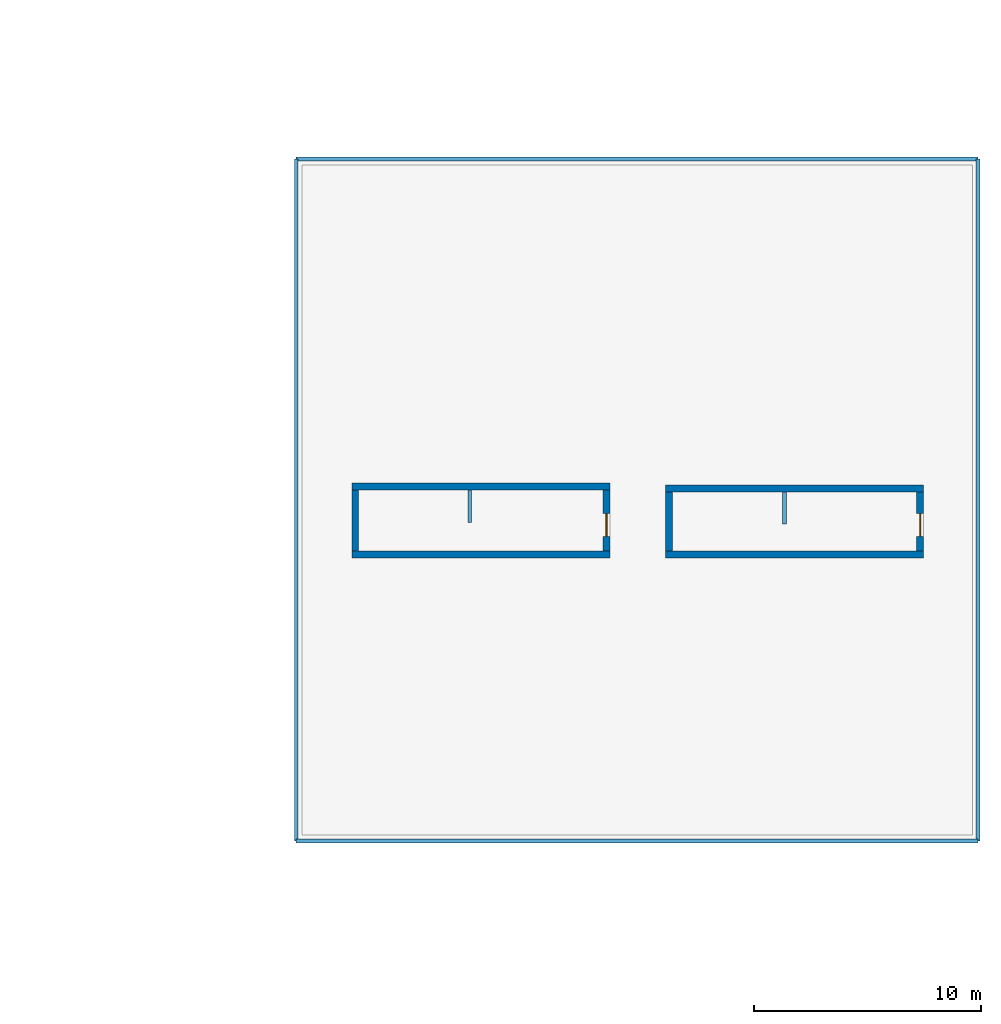
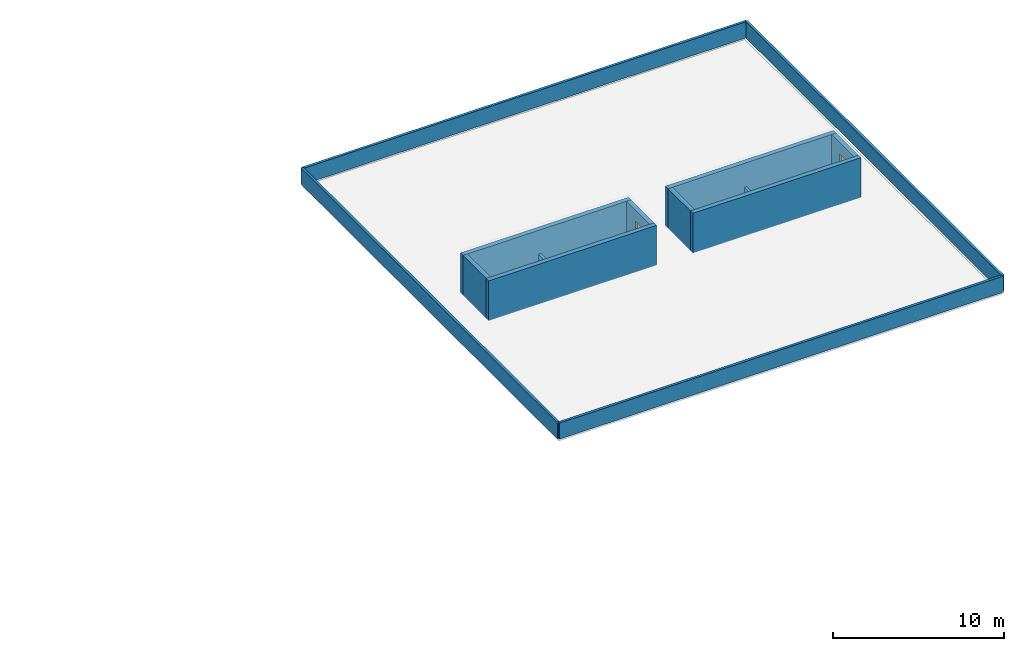
# One storey, part 18 of 23: 14 walls, 2 doors, 2 openings.
"""IFC4 building model written with IfcOpenShell, lengths in metres."""

from ifc_helpers import new_model, si_unit, direction, frame, frame_2d, origin, place, context, subcontext, project, spatial, rectangle, extrude, material, layer, layer_set, type_object, element, fill, save


model = new_model("IFC4")

# Units and contexts
model_context = context("Model", 3, precision=1e-05, world=origin(), true_north=direction((0.0, 1.0)))
body_context = subcontext(model_context, "Body", "Model", "MODEL_VIEW")
ifc_project = project(units=[si_unit("LENGTHUNIT", "METRE"), si_unit("AREAUNIT", "SQUARE_METRE"), si_unit("VOLUMEUNIT", "CUBIC_METRE"), si_unit("PLANEANGLEUNIT", "RADIAN"), si_unit("MASSUNIT", "GRAM", prefix="KILO"), si_unit("POWERUNIT", "WATT"), si_unit("THERMODYNAMICTEMPERATUREUNIT", "KELVIN")], contexts=[model_context])

# Site, building, storey
site_placement = place(None, origin())
site = spatial("IfcSite", under=ifc_project, at=site_placement, CompositionType="ELEMENT")
building_placement = place(site_placement, origin())
building = spatial("IfcBuilding", under=site, at=building_placement, Name="Ruvembo Vaulted Housing Court", CompositionType="ELEMENT")
storey_placement = place(building_placement, frame((0.0, 0.0, 26.89990234375)))
storey = spatial("IfcBuildingStorey", under=building, at=storey_placement, Name="L08", CompositionType="ELEMENT", Elevation=26.89990234375)

# Walls
ifc_material_1 = material(Name="Concrete C35/45", Category="concrete")
ifc_layer_1 = layer(ifc_material_1, 0.300048828125, Name="Concrete C35/45")
ifc_layer_set_1 = layer_set([ifc_layer_1], Name="Concrete C35/45")
wall_type_1 = type_object("IfcWallType", Name="WL-CORE-300", PredefinedType="SHEAR", material=ifc_layer_set_1)
for number, where, z_axis, x_axis, name in (
    (1, (158.449951171875, 84.60009765625, 0.0), (0.0, 0.0, 1.0), (1.0, 0.0, 0.0), "Core D1 L08 Headhouse South Wall"),
    (2, (169.800048828125, 87.60009765625, 0.0), (0.0, 0.0, 1.0), (-1.0, 0.0, 0.0), "Core D1 L08 Headhouse North Wall"),
):
    element("IfcWall", number, at=place(storey_placement, frame(where, z_axis=z_axis, x_axis=x_axis)), inside=storey, type_object=wall_type_1, Name=name, PredefinedType="SHEAR", context=body_context, shape_type="SweptSolid", body=[
        extrude(rectangle(XDim=11.35009765625, YDim=0.300048828125, at=frame_2d((5.675048828125, 0.0))), origin(), (0.0, 0.0, 1.0), 2.85009765625),
    ])
wall_1_placement = place(storey_placement, frame((158.60009765625, 87.449951171875, 0.0), z_axis=(0.0, 0.0, 1.0), x_axis=(0.0, -1.0, 0.0)))
element("IfcWall", 3, at=wall_1_placement, inside=storey, type_object=wall_type_1, Name="Core D1 L08 Headhouse West Wall", PredefinedType="SHEAR", context=body_context, shape_type="SweptSolid", body=[
    extrude(rectangle(XDim=2.699951171875, YDim=0.300048828125, at=frame_2d((1.35009765625, 0.0))), origin(), (0.0, 0.0, 1.0), 2.85009765625),
])

# Wall, opening, door
wall_2_placement = place(storey_placement, frame((169.64990234375, 84.75, 0.0), z_axis=(0.0, 0.0, 1.0), x_axis=(0.0, 1.0, 0.0)))
wall_2 = element("IfcWall", 4, at=wall_2_placement, inside=storey, type_object=wall_type_1, Name="Core D1 L08 Headhouse East Wall", PredefinedType="SHEAR", context=body_context, shape_type="SweptSolid", body=[
    extrude(rectangle(XDim=2.699951171875, YDim=0.300048828125, at=frame_2d((1.35009765625, 0.0))), origin(), (0.0, 0.0, 1.0), 2.85009765625),
])
opening_1_placement = place(wall_2_placement, frame((0.64990234375, 0.0, 0.0)))
opening_1 = element("IfcOpeningElement", 5, at=opening_1_placement, cuts=wall_2, Name="Opening HD1", PredefinedType="OPENING", context=body_context, shape_type="SweptSolid", body=[
    extrude(rectangle(XDim=1.0, YDim=2.050048828125, at=frame_2d((0.5, 1.02490234375))), frame((0.0, 0.159912109375, 0.0), z_axis=(0.0, -1.0, 0.0), x_axis=(1.0, 0.0, 0.0)), (0.0, 0.0, 1.0), 0.320068359375),
])
ifc_material_2 = material(Name="Thermally Broken Glazed Aluminium", Category="aluminium")
door_type = type_object("IfcDoorType", Name="DR-HEADHOUSE-1000x2050", OperationType="NOTDEFINED", PredefinedType="TRAPDOOR", material=ifc_material_2)
door_1_placement = place(opening_1_placement, frame((1.0, 0.0, 0.0), z_axis=(0.0, 0.0, 1.0), x_axis=(-1.0, 0.0, 0.0)))
door_1 = element("IfcDoor", 6, at=door_1_placement, inside=storey, type_object=door_type, Name="Core D1 L08 Stair Headhouse Roof Door", OperationType="SINGLE_SWING_RIGHT", OverallHeight=2.050048828125, OverallWidth=1.0, PredefinedType="TRAPDOOR", context=body_context, shape_type="SweptSolid", body=[
    extrude(rectangle(XDim=1.0, YDim=2.050048828125, at=frame_2d((0.5, 1.02490234375))), frame((0.0, 0.02490234375, 0.0), z_axis=(0.0, -1.0, 0.0), x_axis=(1.0, 0.0, 0.0)), (0.0, 0.0, 1.0), 0.050048828125),
])
fill(opening_1, door_1)

# Walls
for number, where, z_axis, x_axis, name in (
    (7, (172.25, 84.60009765625, 0.0), (0.0, 0.0, 1.0), (1.0, 0.0, 0.0), "Core D2 L08 Headhouse South Wall"),
    (8, (183.60009765625, 87.5, 0.0), (0.0, 0.0, 1.0), (-1.0, 0.0, 0.0), "Core D2 L08 Headhouse North Wall"),
):
    element("IfcWall", number, at=place(storey_placement, frame(where, z_axis=z_axis, x_axis=x_axis)), inside=storey, type_object=wall_type_1, Name=name, PredefinedType="SHEAR", context=body_context, shape_type="SweptSolid", body=[
        extrude(rectangle(XDim=11.35009765625, YDim=0.300048828125, at=frame_2d((5.675048828125, 0.0))), origin(), (0.0, 0.0, 1.0), 2.85009765625),
    ])
wall_3_placement = place(storey_placement, frame((172.39990234375, 87.35009765625, 0.0), z_axis=(0.0, 0.0, 1.0), x_axis=(0.0, -1.0, 0.0)))
element("IfcWall", 9, at=wall_3_placement, inside=storey, type_object=wall_type_1, Name="Core D2 L08 Headhouse West Wall", PredefinedType="SHEAR", context=body_context, shape_type="SweptSolid", body=[
    extrude(rectangle(XDim=2.60009765625, YDim=0.300048828125, at=frame_2d((1.300048828125, 0.0))), origin(), (0.0, 0.0, 1.0), 2.85009765625),
])

# Wall, opening, door
wall_4_placement = place(storey_placement, frame((183.449951171875, 84.75, 0.0), z_axis=(0.0, 0.0, 1.0), x_axis=(0.0, 1.0, 0.0)))
wall_4 = element("IfcWall", 10, at=wall_4_placement, inside=storey, type_object=wall_type_1, Name="Core D2 L08 Headhouse East Wall", PredefinedType="SHEAR", context=body_context, shape_type="SweptSolid", body=[
    extrude(rectangle(XDim=2.60009765625, YDim=0.300048828125, at=frame_2d((1.300048828125, 0.0))), origin(), (0.0, 0.0, 1.0), 2.85009765625),
])
opening_2_placement = place(wall_4_placement, frame((0.64990234375, 0.0, 0.0)))
opening_2 = element("IfcOpeningElement", 11, at=opening_2_placement, cuts=wall_4, Name="Opening HD1", PredefinedType="OPENING", context=body_context, shape_type="SweptSolid", body=[
    extrude(rectangle(XDim=1.0, YDim=2.050048828125, at=frame_2d((0.5, 1.02490234375))), frame((0.0, 0.159912109375, 0.0), z_axis=(0.0, -1.0, 0.0), x_axis=(1.0, 0.0, 0.0)), (0.0, 0.0, 1.0), 0.320068359375),
])
door_2_placement = place(opening_2_placement, frame((1.0, 0.0, 0.0), z_axis=(0.0, 0.0, 1.0), x_axis=(-1.0, 0.0, 0.0)))
door_2 = element("IfcDoor", 12, at=door_2_placement, inside=storey, type_object=door_type, Name="Core D2 L08 Stair Headhouse Roof Door", OperationType="SINGLE_SWING_RIGHT", OverallHeight=2.050048828125, OverallWidth=1.0, PredefinedType="TRAPDOOR", context=body_context, shape_type="SweptSolid", body=[
    extrude(rectangle(XDim=1.0, YDim=2.050048828125, at=frame_2d((0.5, 1.02490234375))), frame((0.0, 0.02490234375, 0.0), z_axis=(0.0, -1.0, 0.0), x_axis=(1.0, 0.0, 0.0)), (0.0, 0.0, 1.0), 0.050048828125),
])
fill(opening_2, door_2)

# Walls
ifc_material_3 = material(Name="Concrete C30/37", Category="concrete")
ifc_layer_2 = layer(ifc_material_3, 0.169921875, Name="Concrete C30/37")
ifc_layer_set_2 = layer_set([ifc_layer_2], Name="Concrete C30/37")
wall_type_2 = type_object("IfcWallType", Name="WL-PARAPET-170", PredefinedType="PARAPET", material=ifc_layer_set_2)
for number, where, z_axis, x_axis, name in (
    (13, (156.0, 72.0, 0.0), (0.0, 0.0, 1.0), (1.0, 0.0, 0.0), "Block D L08 Roof Parapet 1"),
    (14, (186.0, 72.0, 0.0), (0.0, 0.0, 1.0), (0.0, 1.0, 0.0), "Block D L08 Roof Parapet 2"),
    (15, (186.0, 102.0, 0.0), (0.0, 0.0, 1.0), (-1.0, 0.0, 0.0), "Block D L08 Roof Parapet 3"),
    (16, (156.0, 102.0, 0.0), (0.0, 0.0, 1.0), (0.0, -1.0, 0.0), "Block D L08 Roof Parapet 4"),
):
    element("IfcWall", number, at=place(storey_placement, frame(where, z_axis=z_axis, x_axis=x_axis)), inside=storey, type_object=wall_type_2, Name=name, PredefinedType="PARAPET", context=body_context, shape_type="SweptSolid", body=[
        extrude(rectangle(XDim=30.0, YDim=0.169921875, at=frame_2d((15.0, 0.0))), origin(), (0.0, 0.0, 1.0), 1.150146484375),
    ])
wall_5_placement = place(storey_placement, frame((163.635009765625, 87.449951171875, 0.0), z_axis=(0.0, 0.0, 1.0), x_axis=(0.0, -1.0, 0.0)))
element("IfcWall", 17, at=wall_5_placement, inside=storey, type_object=wall_type_2, Name="Core D1 L08 Stairwell Solid Guard Wall 1", PredefinedType="PARAPET", context=body_context, shape_type="SweptSolid", body=[
    extrude(rectangle(XDim=1.449951171875, YDim=0.169921875, at=frame_2d((0.72509765625, 0.0))), origin(), (0.0, 0.0, 1.0), 1.150146484375),
])
wall_6_placement = place(storey_placement, frame((177.485107421875, 87.35009765625, 0.0), z_axis=(0.0, 0.0, 1.0), x_axis=(0.0, -1.0, 0.0)))
element("IfcWall", 18, at=wall_6_placement, inside=storey, type_object=wall_type_2, Name="Core D2 L08 Stairwell Solid Guard Wall 1", PredefinedType="PARAPET", context=body_context, shape_type="SweptSolid", body=[
    extrude(rectangle(XDim=1.400146484375, YDim=0.169921875, at=frame_2d((0.7001953125, 0.0))), origin(), (0.0, 0.0, 1.0), 1.150146484375),
])

save(model, "model.ifc")
